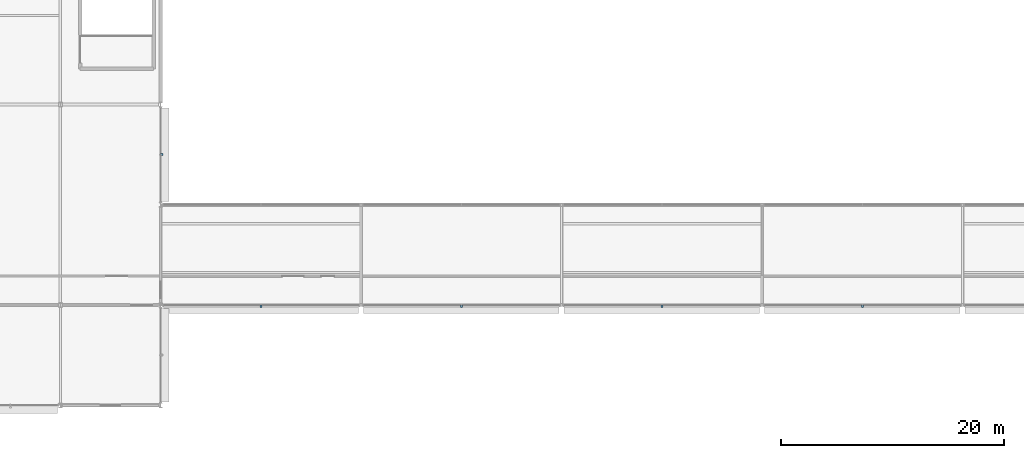
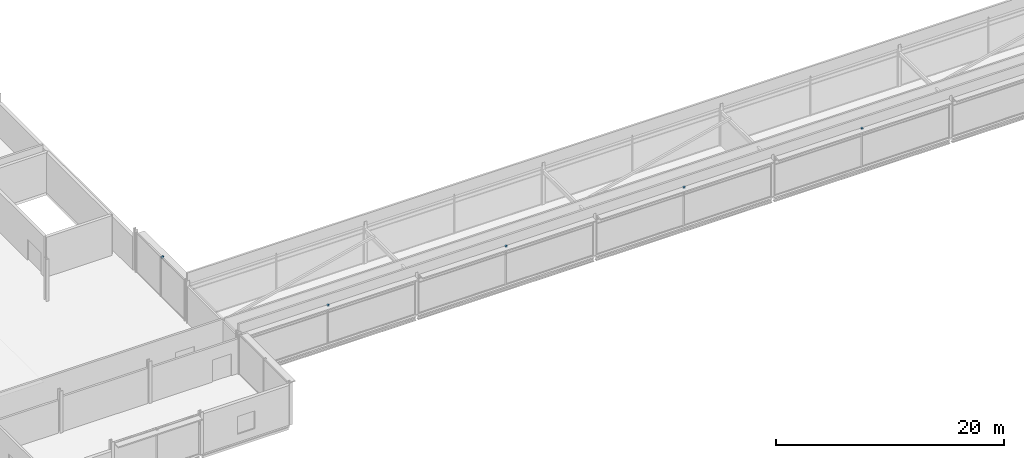
# One storey, part 50 of 73: 5 discrete accessories.
"""IFC4 building model written with IfcOpenShell, lengths in metres."""

import ifcopenshell
import ifcopenshell.guid

model = None  # the IFC model being written
_history = None  # IfcOwnerHistory: only IFC2X3 demands one
_inside = {}  # id of a spatial element -> (the spatial element, [elements in it])
_under = {}  # id of a project, library or spatial element -> (it, [spatial elements below it])
_declared = {}  # id of a project -> (the project, [libraries it declares])
_typed = {}  # id of a type object -> (the type object, [elements of that type])
_made_of = {}  # id of a material, layer set ... -> (it, [elements and type objects made of it])


def new_model(schema):
    """Start an empty IFC model of exactly this schema.

    Asked for "IFC4X3", IfcOpenShell would pick the latest addendum, in which some entities
    have other attributes; the version numbers below select the first issue.
    IFC2X3 requires an IfcOwnerHistory on every rooted entity: one is made here for all.
    """
    global model, _history
    if schema == "IFC4X3":
        model = ifcopenshell.file(schema_version=(4, 3, 0, 0))
    else:
        model = ifcopenshell.file(schema=schema)
    _inside.clear()
    _under.clear()
    _declared.clear()
    _typed.clear()
    _made_of.clear()
    _history = None
    if model.schema == "IFC2X3":
        org = make("IfcOrganization", Name="unknown")
        user = make(
            "IfcPersonAndOrganization",
            ThePerson=make("IfcPerson", FamilyName="unknown"),
            TheOrganization=org,
        )
        app = make(
            "IfcApplication",
            ApplicationDeveloper=org,
            Version="unknown",
            ApplicationFullName="unknown",
            ApplicationIdentifier="unknown",
        )
        _history = make(
            "IfcOwnerHistory",
            OwningUser=user,
            OwningApplication=app,
            ChangeAction="ADDED",
            CreationDate=0,
        )
    return model


def make(cls, **values):
    """One entity of the class cls with the attributes given. An attribute that is None is left unset."""
    return model.create_entity(
        cls, **{name: value for name, value in values.items() if value is not None}
    )


def rooted(cls, **values):
    """An entity with a GlobalId (a new one), such as an element, a storey or a relation."""
    return make(cls, GlobalId=ifcopenshell.guid.new(), OwnerHistory=_history, **values)


def si_unit(unit_type, name, prefix=None):
    """IfcSIUnit, for example si_unit("LENGTHUNIT", "METRE", prefix="MILLI")."""
    return make("IfcSIUnit", UnitType=unit_type, Prefix=prefix, Name=name)


def assignment(units):
    """IfcUnitAssignment: the units of a project."""
    return None if units is None else make("IfcUnitAssignment", Units=units)


def point(xyz):
    """IfcCartesianPoint."""
    return None if xyz is None else make("IfcCartesianPoint", Coordinates=xyz)


def direction(xyz):
    """IfcDirection."""
    return None if xyz is None else make("IfcDirection", DirectionRatios=xyz)


def frame(location, z_axis=None, x_axis=None):
    """IfcAxis2Placement3D, a coordinate frame: its origin and axes. An axis left out is left unset."""
    return make(
        "IfcAxis2Placement3D",
        Location=point(location),
        Axis=direction(z_axis),
        RefDirection=direction(x_axis),
    )


def frame_2d(location, x_axis=None):
    """IfcAxis2Placement2D, a coordinate frame in the plane: its origin and x axis."""
    return make(
        "IfcAxis2Placement2D", Location=point(location), RefDirection=direction(x_axis)
    )


def origin():
    """The frame at (0, 0, 0) with its axes left unset."""
    return frame((0.0, 0.0, 0.0))


def origin_2d():
    """The frame at (0, 0) in the plane with its x axis left unset."""
    return frame_2d((0.0, 0.0))


def place(relative_to, where):
    """IfcLocalPlacement: puts the frame where relative to a parent placement (None: the world)."""
    return make(
        "IfcLocalPlacement", PlacementRelTo=relative_to, RelativePlacement=where
    )


def context(
    kind, dimensions, precision=None, world=None, true_north=None, identifier=None
):
    """IfcGeometricRepresentationContext, for example the 3D "Model" context."""
    return make(
        "IfcGeometricRepresentationContext",
        ContextIdentifier=identifier,
        ContextType=kind,
        CoordinateSpaceDimension=dimensions,
        Precision=precision,
        WorldCoordinateSystem=world,
        TrueNorth=true_north,
    )


def subcontext(parent, identifier, kind, view, scale=None):
    """IfcGeometricRepresentationSubContext, for example "Body" below "Model"."""
    return make(
        "IfcGeometricRepresentationSubContext",
        ContextIdentifier=identifier,
        ContextType=kind,
        ParentContext=parent,
        TargetScale=scale,
        TargetView=view,
    )


def project(units=None, contexts=None):
    """IfcProject with its units and contexts."""
    return rooted(
        "IfcProject",
        Name="project",
        RepresentationContexts=contexts,
        UnitsInContext=assignment(units),
    )


def spatial(cls, under=None, at=None, **own):
    """A site, building, storey or space (cls), placed at a placement, below another one or the project."""
    s = rooted(cls, ObjectPlacement=at, **own)
    if under is not None:
        _under.setdefault(under.id(), (under, []))[1].append(s)
    return s


def profile(cls, at=None, kind="AREA", **sizes):
    """A parametric profile (cls). Its sizes go by their IFC names, for example OverallWidth=200.0."""
    return make(cls, ProfileType=kind, Position=at, **sizes)


def rectangle(**sizes):
    """IfcRectangleProfileDef."""
    return profile("IfcRectangleProfileDef", **sizes)


def extrude(swept, where, along, depth):
    """IfcExtrudedAreaSolid: the profile swept, set in the frame where, extruded along a direction by depth."""
    return make(
        "IfcExtrudedAreaSolid",
        SweptArea=swept,
        Position=where,
        ExtrudedDirection=direction(along),
        Depth=depth,
    )


def shape(context_of_items, identifier, shape_type, items):
    """IfcShapeRepresentation: the items that make up one representation, for example the "Body"."""
    return make(
        "IfcShapeRepresentation",
        ContextOfItems=context_of_items,
        RepresentationIdentifier=identifier,
        RepresentationType=shape_type,
        Items=items,
    )


def material(Name=None, Category=None):
    """IfcMaterial."""
    return make("IfcMaterial", Name=Name, Category=Category)


def made_of(thing, what):
    """Note that an element or type object is made of a material, layer set ...; save() writes the relation."""
    if what is not None:
        _made_of.setdefault(what.id(), (what, []))[1].append(thing)
    return thing


def type_object(cls, material=None, **own):
    """A type object (cls), such as IfcWallType, which elements share."""
    return made_of(rooted(cls, **own), material)


def element(
    cls,
    number,
    at=None,
    inside=None,
    cuts=None,
    type_object=None,
    material=None,
    context=None,
    identifier="Body",
    shape_type=None,
    held_by="IfcProductDefinitionShape",
    body=None,
    shapes=None,
    **own,
):
    """One element of the class cls, such as IfcWall. Its Tag is "e" and its number.

    at: its placement. inside: the storey or other place that contains it. cuts: it is an
    opening in that element (IfcRelVoidsElement). A single representation is given by context,
    identifier, shape_type and body (its items); several are given by shapes. held_by: the class
    of the entity that holds the representations. save() writes the other relations.
    """
    e = rooted(cls, Tag="e%d" % number, ObjectPlacement=at, **own)
    if body is not None:
        shapes = [shape(context, identifier, shape_type, body)]
    if shapes is not None:
        e.Representation = make(held_by, Representations=shapes)
    if inside is not None:
        _inside.setdefault(inside.id(), (inside, []))[1].append(e)
    if cuts is not None:
        rooted(
            "IfcRelVoidsElement", RelatingBuildingElement=cuts, RelatedOpeningElement=e
        )
    if type_object is not None:
        _typed.setdefault(type_object.id(), (type_object, []))[1].append(e)
    return made_of(e, material)


def aggregate(whole, parts):
    """IfcRelAggregates: a whole, such as a stair, and the parts it consists of."""
    return rooted("IfcRelAggregates", RelatingObject=whole, RelatedObjects=parts)


def save(model, path):
    """Write the relations noted so far, then the file.

    IfcRelAggregates (storeys below a building ...), IfcRelContainedInSpatialStructure (elements
    in a storey), IfcRelDefinesByType, IfcRelAssociatesMaterial and IfcRelDeclares: one each for
    every whole, place, type object, material and project.
    """
    for whole, parts in _under.values():
        aggregate(whole, parts)
    for where, things in _inside.values():
        rooted(
            "IfcRelContainedInSpatialStructure",
            RelatedElements=things,
            RelatingStructure=where,
        )
    for kind, things in _typed.values():
        rooted("IfcRelDefinesByType", RelatedObjects=things, RelatingType=kind)
    for what, things in _made_of.values():
        rooted("IfcRelAssociatesMaterial", RelatedObjects=things, RelatingMaterial=what)
    for by, libraries in _declared.values():
        rooted("IfcRelDeclares", RelatingContext=by, RelatedDefinitions=libraries)
    model.write(path)


model = new_model("IFC4")

# Units and contexts
model_context = context("Model", 3, precision=1e-05, world=origin(), true_north=direction((0.0, 1.0)))
body_context = subcontext(model_context, "Body", "Model", "MODEL_VIEW")
ifc_project = project(units=[si_unit("LENGTHUNIT", "METRE"), si_unit("AREAUNIT", "SQUARE_METRE"), si_unit("VOLUMEUNIT", "CUBIC_METRE"), si_unit("PLANEANGLEUNIT", "RADIAN"), si_unit("MASSUNIT", "GRAM", prefix="KILO")], contexts=[model_context])

# Site, building, storey
site_placement = place(None, origin())
site = spatial("IfcSite", under=ifc_project, at=site_placement, CompositionType="ELEMENT")
building_placement = place(site_placement, origin())
building = spatial("IfcBuilding", under=site, at=building_placement, Name="Kisiwana Market Hall", CompositionType="ELEMENT")
storey_placement = place(building_placement, frame((0.0, 0.0, 33.300048828125)))
storey = spatial("IfcBuildingStorey", under=building, at=storey_placement, Name="L07", CompositionType="ELEMENT", Elevation=33.300048828125)

# Discrete accessories
ifc_material = material(Name="Steel S355", Category="steel")
discrete_accessory_type = type_object("IfcDiscreteAccessoryType", Name="ACC-BRACKET-STL", PredefinedType="BRACKET", material=ifc_material)
for number, where, z_axis, x_axis, name in (
    (1, (54.012451171875, 17.889892578125, 4.044921875), (0.0, 0.0, 1.0), (1.0, 0.0, 0.0), "Sunshade steel bracket BRK-129"),
    (2, (72.0, 17.889892578125, 4.044921875), (0.0, 0.0, 1.0), (1.0, 0.0, 0.0), "Sunshade steel bracket BRK-130"),
    (3, (90.0, 17.889892578125, 4.044921875), (0.0, 0.0, 1.0), (1.0, 0.0, 0.0), "Sunshade steel bracket BRK-131"),
    (4, (108.0, 17.889892578125, 4.044921875), (0.0, 0.0, 1.0), (1.0, 0.0, 0.0), "Sunshade steel bracket BRK-132"),
    (5, (45.110107421875, 31.5, 4.044921875), (0.0, 0.0, 1.0), (0.0, 1.0, 0.0), "Sunshade steel bracket BRK-137"),
):
    element("IfcDiscreteAccessory", number, at=place(storey_placement, frame(where, z_axis=z_axis, x_axis=x_axis)), inside=storey, type_object=discrete_accessory_type, Name=name, PredefinedType="BRACKET", context=body_context, shape_type="SweptSolid", body=[
        extrude(rectangle(XDim=0.179931640625, YDim=0.239990234375, at=origin_2d()), origin(), (0.0, 0.0, 1.0), 0.179931640625),
    ])

save(model, "model.ifc")
